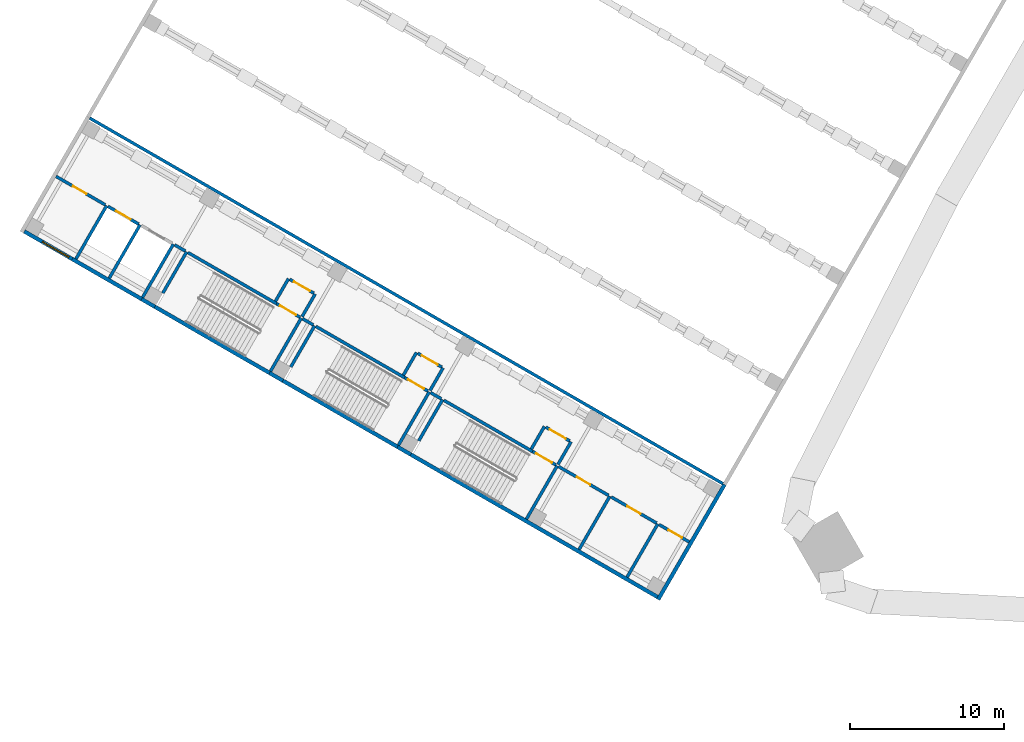
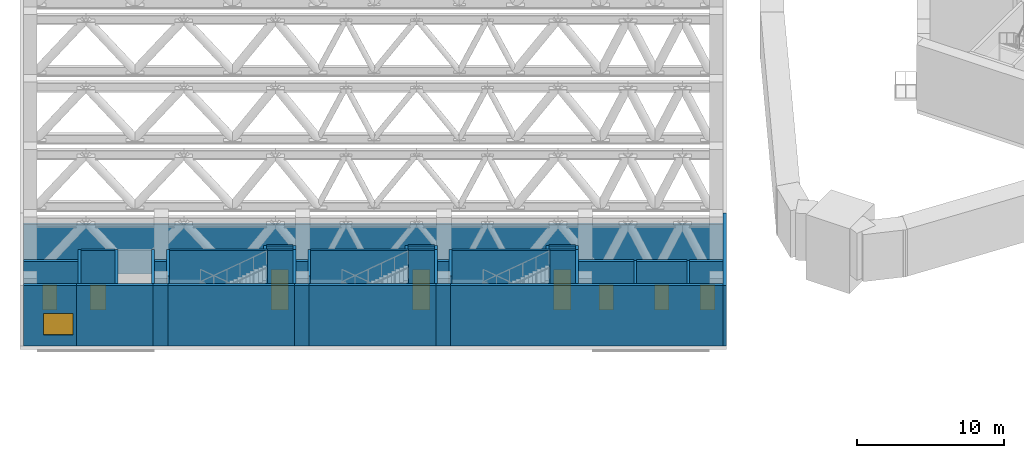
# One storey, part 13 of 37: 44 walls, 11 doors, 1 window, 12 openings.
"""IFC4 building model written with IfcOpenShell, lengths in metres."""

import ifcopenshell
import ifcopenshell.guid

model = None  # the IFC model being written
_history = None  # IfcOwnerHistory: only IFC2X3 demands one
_inside = {}  # id of a spatial element -> (the spatial element, [elements in it])
_under = {}  # id of a project, library or spatial element -> (it, [spatial elements below it])
_declared = {}  # id of a project -> (the project, [libraries it declares])
_typed = {}  # id of a type object -> (the type object, [elements of that type])
_made_of = {}  # id of a material, layer set ... -> (it, [elements and type objects made of it])


def new_model(schema):
    """Start an empty IFC model of exactly this schema.

    Asked for "IFC4X3", IfcOpenShell would pick the latest addendum, in which some entities
    have other attributes; the version numbers below select the first issue.
    IFC2X3 requires an IfcOwnerHistory on every rooted entity: one is made here for all.
    """
    global model, _history
    if schema == "IFC4X3":
        model = ifcopenshell.file(schema_version=(4, 3, 0, 0))
    else:
        model = ifcopenshell.file(schema=schema)
    _inside.clear()
    _under.clear()
    _declared.clear()
    _typed.clear()
    _made_of.clear()
    _history = None
    if model.schema == "IFC2X3":
        org = make("IfcOrganization", Name="unknown")
        user = make(
            "IfcPersonAndOrganization",
            ThePerson=make("IfcPerson", FamilyName="unknown"),
            TheOrganization=org,
        )
        app = make(
            "IfcApplication",
            ApplicationDeveloper=org,
            Version="unknown",
            ApplicationFullName="unknown",
            ApplicationIdentifier="unknown",
        )
        _history = make(
            "IfcOwnerHistory",
            OwningUser=user,
            OwningApplication=app,
            ChangeAction="ADDED",
            CreationDate=0,
        )
    return model


def make(cls, **values):
    """One entity of the class cls with the attributes given. An attribute that is None is left unset."""
    return model.create_entity(
        cls, **{name: value for name, value in values.items() if value is not None}
    )


def rooted(cls, **values):
    """An entity with a GlobalId (a new one), such as an element, a storey or a relation."""
    return make(cls, GlobalId=ifcopenshell.guid.new(), OwnerHistory=_history, **values)


def si_unit(unit_type, name, prefix=None):
    """IfcSIUnit, for example si_unit("LENGTHUNIT", "METRE", prefix="MILLI")."""
    return make("IfcSIUnit", UnitType=unit_type, Prefix=prefix, Name=name)


def assignment(units):
    """IfcUnitAssignment: the units of a project."""
    return None if units is None else make("IfcUnitAssignment", Units=units)


def point(xyz):
    """IfcCartesianPoint."""
    return None if xyz is None else make("IfcCartesianPoint", Coordinates=xyz)


def direction(xyz):
    """IfcDirection."""
    return None if xyz is None else make("IfcDirection", DirectionRatios=xyz)


def frame(location, z_axis=None, x_axis=None):
    """IfcAxis2Placement3D, a coordinate frame: its origin and axes. An axis left out is left unset."""
    return make(
        "IfcAxis2Placement3D",
        Location=point(location),
        Axis=direction(z_axis),
        RefDirection=direction(x_axis),
    )


def frame_2d(location, x_axis=None):
    """IfcAxis2Placement2D, a coordinate frame in the plane: its origin and x axis."""
    return make(
        "IfcAxis2Placement2D", Location=point(location), RefDirection=direction(x_axis)
    )


def origin():
    """The frame at (0, 0, 0) with its axes left unset."""
    return frame((0.0, 0.0, 0.0))


def place(relative_to, where):
    """IfcLocalPlacement: puts the frame where relative to a parent placement (None: the world)."""
    return make(
        "IfcLocalPlacement", PlacementRelTo=relative_to, RelativePlacement=where
    )


def context(
    kind, dimensions, precision=None, world=None, true_north=None, identifier=None
):
    """IfcGeometricRepresentationContext, for example the 3D "Model" context."""
    return make(
        "IfcGeometricRepresentationContext",
        ContextIdentifier=identifier,
        ContextType=kind,
        CoordinateSpaceDimension=dimensions,
        Precision=precision,
        WorldCoordinateSystem=world,
        TrueNorth=true_north,
    )


def subcontext(parent, identifier, kind, view, scale=None):
    """IfcGeometricRepresentationSubContext, for example "Body" below "Model"."""
    return make(
        "IfcGeometricRepresentationSubContext",
        ContextIdentifier=identifier,
        ContextType=kind,
        ParentContext=parent,
        TargetScale=scale,
        TargetView=view,
    )


def project(units=None, contexts=None):
    """IfcProject with its units and contexts."""
    return rooted(
        "IfcProject",
        Name="project",
        RepresentationContexts=contexts,
        UnitsInContext=assignment(units),
    )


def spatial(cls, under=None, at=None, **own):
    """A site, building, storey or space (cls), placed at a placement, below another one or the project."""
    s = rooted(cls, ObjectPlacement=at, **own)
    if under is not None:
        _under.setdefault(under.id(), (under, []))[1].append(s)
    return s


def profile(cls, at=None, kind="AREA", **sizes):
    """A parametric profile (cls). Its sizes go by their IFC names, for example OverallWidth=200.0."""
    return make(cls, ProfileType=kind, Position=at, **sizes)


def rectangle(**sizes):
    """IfcRectangleProfileDef."""
    return profile("IfcRectangleProfileDef", **sizes)


def extrude(swept, where, along, depth):
    """IfcExtrudedAreaSolid: the profile swept, set in the frame where, extruded along a direction by depth."""
    return make(
        "IfcExtrudedAreaSolid",
        SweptArea=swept,
        Position=where,
        ExtrudedDirection=direction(along),
        Depth=depth,
    )


def shape(context_of_items, identifier, shape_type, items):
    """IfcShapeRepresentation: the items that make up one representation, for example the "Body"."""
    return make(
        "IfcShapeRepresentation",
        ContextOfItems=context_of_items,
        RepresentationIdentifier=identifier,
        RepresentationType=shape_type,
        Items=items,
    )


def material(Name=None, Category=None):
    """IfcMaterial."""
    return make("IfcMaterial", Name=Name, Category=Category)


def layer(
    of_material, thickness, ventilated=None, Name=None, Category=None, Priority=None
):
    """IfcMaterialLayer: one layer of a wall or slab, of a material (None: an air gap)."""
    return make(
        "IfcMaterialLayer",
        Material=of_material,
        LayerThickness=thickness,
        IsVentilated=ventilated,
        Name=Name,
        Category=Category,
        Priority=Priority,
    )


def layer_set(layers, Name=None):
    """IfcMaterialLayerSet."""
    return make("IfcMaterialLayerSet", MaterialLayers=layers, LayerSetName=Name)


def made_of(thing, what):
    """Note that an element or type object is made of a material, layer set ...; save() writes the relation."""
    if what is not None:
        _made_of.setdefault(what.id(), (what, []))[1].append(thing)
    return thing


def type_object(cls, material=None, **own):
    """A type object (cls), such as IfcWallType, which elements share."""
    return made_of(rooted(cls, **own), material)


def element(
    cls,
    number,
    at=None,
    inside=None,
    cuts=None,
    type_object=None,
    material=None,
    context=None,
    identifier="Body",
    shape_type=None,
    held_by="IfcProductDefinitionShape",
    body=None,
    shapes=None,
    **own,
):
    """One element of the class cls, such as IfcWall. Its Tag is "e" and its number.

    at: its placement. inside: the storey or other place that contains it. cuts: it is an
    opening in that element (IfcRelVoidsElement). A single representation is given by context,
    identifier, shape_type and body (its items); several are given by shapes. held_by: the class
    of the entity that holds the representations. save() writes the other relations.
    """
    e = rooted(cls, Tag="e%d" % number, ObjectPlacement=at, **own)
    if body is not None:
        shapes = [shape(context, identifier, shape_type, body)]
    if shapes is not None:
        e.Representation = make(held_by, Representations=shapes)
    if inside is not None:
        _inside.setdefault(inside.id(), (inside, []))[1].append(e)
    if cuts is not None:
        rooted(
            "IfcRelVoidsElement", RelatingBuildingElement=cuts, RelatedOpeningElement=e
        )
    if type_object is not None:
        _typed.setdefault(type_object.id(), (type_object, []))[1].append(e)
    return made_of(e, material)


def fill(opening, filler):
    """IfcRelFillsElement: the door or window that sits in an opening."""
    return rooted(
        "IfcRelFillsElement",
        RelatingOpeningElement=opening,
        RelatedBuildingElement=filler,
    )


def aggregate(whole, parts):
    """IfcRelAggregates: a whole, such as a stair, and the parts it consists of."""
    return rooted("IfcRelAggregates", RelatingObject=whole, RelatedObjects=parts)


def save(model, path):
    """Write the relations noted so far, then the file.

    IfcRelAggregates (storeys below a building ...), IfcRelContainedInSpatialStructure (elements
    in a storey), IfcRelDefinesByType, IfcRelAssociatesMaterial and IfcRelDeclares: one each for
    every whole, place, type object, material and project.
    """
    for whole, parts in _under.values():
        aggregate(whole, parts)
    for where, things in _inside.values():
        rooted(
            "IfcRelContainedInSpatialStructure",
            RelatedElements=things,
            RelatingStructure=where,
        )
    for kind, things in _typed.values():
        rooted("IfcRelDefinesByType", RelatedObjects=things, RelatingType=kind)
    for what, things in _made_of.values():
        rooted("IfcRelAssociatesMaterial", RelatedObjects=things, RelatingMaterial=what)
    for by, libraries in _declared.values():
        rooted("IfcRelDeclares", RelatingContext=by, RelatedDefinitions=libraries)
    model.write(path)


model = new_model("IFC4")

# Units and contexts
model_context = context("Model", 3, precision=1e-05, world=origin(), true_north=direction((0.0, 1.0)))
body_context = subcontext(model_context, "Body", "Model", "MODEL_VIEW")
ifc_project = project(units=[si_unit("LENGTHUNIT", "METRE"), si_unit("AREAUNIT", "SQUARE_METRE"), si_unit("VOLUMEUNIT", "CUBIC_METRE"), si_unit("PLANEANGLEUNIT", "RADIAN"), si_unit("MASSUNIT", "GRAM", prefix="KILO")], contexts=[model_context])

# Site, building, storey
site_placement = place(None, origin())
site = spatial("IfcSite", under=ifc_project, at=site_placement, CompositionType="ELEMENT")
building_placement = place(site_placement, origin())
building = spatial("IfcBuilding", under=site, at=building_placement, Name="Mestral Congress Tower", CompositionType="ELEMENT")
storey_placement = place(building_placement, frame((0.0, 0.0, 16.199951171875)))
storey = spatial("IfcBuildingStorey", under=building, at=storey_placement, Name="L03", CompositionType="ELEMENT", Elevation=16.199951171875)

# Walls
ifc_material_1 = material(Name="Precast concrete C40/50 with limestone facing", Category="masonry")
ifc_layer_1 = layer(ifc_material_1, 0.25)
ifc_layer_set_1 = layer_set([ifc_layer_1], Name="Precast concrete C40/50 with limestone facing")
wall_type_1 = type_object("IfcWallType", Name="Podium external wall 250", PredefinedType="SOLIDWALL", material=ifc_layer_set_1)
wall_1_placement = place(storey_placement, frame((-38.25, -14.14501953125, 0.0), z_axis=(0.0, 0.0, 1.0), x_axis=(-0.499999331568, -0.866025789703, 0.0)))
element("IfcWall", 1, at=wall_1_placement, inside=storey, type_object=wall_type_1, Name="L03 external wall", PredefinedType="SOLIDWALL", context=body_context, shape_type="SweptSolid", body=[
    extrude(rectangle(XDim=8.625, YDim=0.25, at=frame_2d((4.3125, 0.0))), origin(), (0.0, 0.0, 1.0), 5.0),
])
wall_2_placement = place(storey_placement, frame((-42.6083984375, -21.44384765625, 0.0), z_axis=(0.0, 0.0, 1.0), x_axis=(-0.866025598446, 0.499999662836, 0.0)))
element("IfcWall", 2, at=wall_2_placement, inside=storey, type_object=wall_type_1, Name="L03 external wall", PredefinedType="SOLIDWALL", context=body_context, shape_type="SweptSolid", body=[
    extrude(rectangle(XDim=18.5, YDim=0.25, at=frame_2d((9.25, 0.0))), origin(), (0.0, 0.0, 1.0), 5.0),
])
wall_3_placement = place(storey_placement, frame((-59.495849609375, -11.69384765625, 0.0), z_axis=(0.0, 0.0, 1.0), x_axis=(-0.866021068297, 0.500007509209, 0.0)))
element("IfcWall", 3, at=wall_3_placement, inside=storey, type_object=wall_type_1, Name="L03 external wall", PredefinedType="SOLIDWALL", context=body_context, shape_type="SweptSolid", body=[
    extrude(rectangle(XDim=8.599853515625, YDim=0.25, at=frame_2d((4.2998046875, 0.0))), origin(), (0.0, 0.0, 1.0), 5.0),
])
wall_4_placement = place(storey_placement, frame((-67.8095703125, -6.893798828125, 0.0), z_axis=(0.0, 0.0, 1.0), x_axis=(-0.866028165386, 0.499995216735, 0.0)))
element("IfcWall", 4, at=wall_4_placement, inside=storey, type_object=wall_type_1, Name="L03 external wall", PredefinedType="SOLIDWALL", context=body_context, shape_type="SweptSolid", body=[
    extrude(rectangle(XDim=8.60009765625, YDim=0.25, at=frame_2d((4.300048828125, 0.0))), origin(), (0.0, 0.0, 1.0), 5.0),
])
wall_5_placement = place(storey_placement, frame((-76.12353515625, -2.09375, 0.0), z_axis=(0.0, 0.0, 1.0), x_axis=(-0.866029992723, 0.499992051641, 0.0)))
element("IfcWall", 5, at=wall_5_placement, inside=storey, type_object=wall_type_1, Name="L03 external wall", PredefinedType="SOLIDWALL", context=body_context, shape_type="SweptSolid", body=[
    extrude(rectangle(XDim=5.19970703125, YDim=0.25, at=frame_2d((2.599853515625, 0.0))), origin(), (0.0, 0.0, 1.0), 5.0),
])

# Wall, opening, window
wall_6_placement = place(storey_placement, frame((-80.626708984375, 0.506103515625, 0.0), z_axis=(0.0, 0.0, 1.0), x_axis=(-0.866018442252, 0.500012057535, 0.0)))
wall_6 = element("IfcWall", 6, at=wall_6_placement, inside=storey, type_object=wall_type_1, Name="L03 external wall", PredefinedType="SOLIDWALL", context=body_context, shape_type="SweptSolid", body=[
    extrude(rectangle(XDim=3.60009765625, YDim=0.25, at=frame_2d((1.800048828125, 0.0))), origin(), (0.0, 0.0, 1.0), 5.0),
])
opening_1_placement = place(wall_6_placement, frame((0.25, 0.0, 0.89990234375)))
opening_1 = element("IfcOpeningElement", 7, at=opening_1_placement, cuts=wall_6, Name="Opening PW-2000x1800", PredefinedType="OPENING", context=body_context, shape_type="SweptSolid", body=[
    extrude(rectangle(XDim=2.0, YDim=1.800048828125, at=frame_2d((1.0, 0.89990234375))), frame((0.0, 0.135009765625, 0.0), z_axis=(0.0, -1.0, 0.0), x_axis=(1.0, 0.0, 0.0)), (0.0, 0.0, 1.0), 0.27001953125),
])
ifc_material_2 = material(Name="Aluminium frame, clear double glazing", Category="aluminium")
window_type = type_object("IfcWindowType", Name="Podium window 2000x1800 sill 900", PartitioningType="SINGLE_PANEL", PredefinedType="WINDOW", material=ifc_material_2)
window_placement = place(opening_1_placement, origin())
window = element("IfcWindow", 8, at=window_placement, inside=storey, type_object=window_type, Name="Window", OverallHeight=1.800048828125, OverallWidth=2.0, PartitioningType="SINGLE_PANEL", PredefinedType="WINDOW", context=body_context, shape_type="SweptSolid", body=[
    extrude(rectangle(XDim=2.0, YDim=1.800048828125, at=frame_2d((1.0, 0.89990234375))), frame((0.0, 0.030029296875, 0.0), z_axis=(0.0, -1.0, 0.0), x_axis=(1.0, 0.0, 0.0)), (0.0, 0.0, 1.0), 0.06005859375),
])
fill(opening_1, window)

# Walls
for number, where, z_axis, x_axis, name in (
    (9, (-58.6298828125, -12.19384765625, 0.0), (0.0, 0.0, 1.0), (-0.866010750942, 0.50002537861, 0.0), "L03 external wall"),
    (10, (-66.943603515625, -7.393798828125, 0.0), (0.0, 0.0, 1.0), (-0.866010750942, 0.50002537861, 0.0), "L03 external wall"),
    (11, (-75.257568359375, -2.59375, 0.0), (0.0, 0.0, 1.0), (-0.866010750942, 0.50002537861, 0.0), "L03 external wall"),
):
    element("IfcWall", number, at=place(storey_placement, frame(where, z_axis=z_axis, x_axis=x_axis)), inside=storey, type_object=wall_type_1, Name=name, PredefinedType="SOLIDWALL", context=body_context, shape_type="SweptSolid", body=[
        extrude(rectangle(XDim=1.0, YDim=0.25, at=frame_2d((0.5, 0.0))), origin(), (0.0, 0.0, 1.0), 5.0),
    ])
ifc_material_3 = material(Name="Masonry block wall", Category="masonry")
ifc_layer_2 = layer(ifc_material_3, 0.199951171875)
ifc_layer_set_2 = layer_set([ifc_layer_2], Name="Masonry block wall")
wall_type_2 = type_object("IfcWallType", Name="Podium stair enclosure wall 200 EI 120 load-bearing", PredefinedType="SOLIDWALL", material=ifc_layer_set_2)
wall_7_placement = place(storey_placement, frame((-49.119384765625, -12.92138671875, 0.0), z_axis=(0.0, 0.0, 1.0), x_axis=(-0.49999894854, -0.866026010844, 0.0)))
element("IfcWall", 12, at=wall_7_placement, inside=storey, type_object=wall_type_2, Name="L03 partition", PredefinedType="SOLIDWALL", context=body_context, shape_type="SweptSolid", body=[
    extrude(rectangle(XDim=4.0, YDim=0.199951171875, at=frame_2d((2.0, 0.0))), origin(), (0.0, 0.0, 1.0), 5.0),
])
wall_8_placement = place(storey_placement, frame((-56.5673828125, -8.621337890625, 0.0), z_axis=(0.0, 0.0, 1.0), x_axis=(-0.499933790963, -0.866063626216, 0.0)))
element("IfcWall", 13, at=wall_8_placement, inside=storey, type_object=wall_type_2, Name="L03 partition", PredefinedType="SOLIDWALL", context=body_context, shape_type="SweptSolid", body=[
    extrude(rectangle(XDim=3.10009765625, YDim=0.199951171875, at=frame_2d((1.550048828125, 0.0))), origin(), (0.0, 0.0, 1.0), 5.0),
])
wall_9_placement = place(storey_placement, frame((-57.433349609375, -8.121337890625, 0.0), z_axis=(0.0, 0.0, 1.0), x_axis=(-0.49999894854, -0.866026010844, 0.0)))
element("IfcWall", 14, at=wall_9_placement, inside=storey, type_object=wall_type_2, Name="L03 partition", PredefinedType="SOLIDWALL", context=body_context, shape_type="SweptSolid", body=[
    extrude(rectangle(XDim=4.0, YDim=0.199951171875, at=frame_2d((2.0, 0.0))), origin(), (0.0, 0.0, 1.0), 5.0),
])
wall_10_placement = place(storey_placement, frame((-64.881103515625, -3.8212890625, 0.0), z_axis=(0.0, 0.0, 1.0), x_axis=(-0.49999285859, -0.86602952684, 0.0)))
element("IfcWall", 15, at=wall_10_placement, inside=storey, type_object=wall_type_2, Name="L03 partition", PredefinedType="SOLIDWALL", context=body_context, shape_type="SweptSolid", body=[
    extrude(rectangle(XDim=3.10009765625, YDim=0.199951171875, at=frame_2d((1.550048828125, 0.0))), origin(), (0.0, 0.0, 1.0), 5.0),
])
wall_11_placement = place(storey_placement, frame((-65.7470703125, -3.3212890625, 0.0), z_axis=(0.0, 0.0, 1.0), x_axis=(-0.49999894854, -0.866026010844, 0.0)))
element("IfcWall", 16, at=wall_11_placement, inside=storey, type_object=wall_type_2, Name="L03 partition", PredefinedType="SOLIDWALL", context=body_context, shape_type="SweptSolid", body=[
    extrude(rectangle(XDim=4.0, YDim=0.199951171875, at=frame_2d((2.0, 0.0))), origin(), (0.0, 0.0, 1.0), 5.0),
])
wall_12_placement = place(storey_placement, frame((-73.195068359375, 0.978515625, 0.0), z_axis=(0.0, 0.0, 1.0), x_axis=(-0.500026960575, -0.86600983753, 0.0)))
element("IfcWall", 17, at=wall_12_placement, inside=storey, type_object=wall_type_2, Name="L03 partition", PredefinedType="SOLIDWALL", context=body_context, shape_type="SweptSolid", body=[
    extrude(rectangle(XDim=3.099853515625, YDim=0.199951171875, at=frame_2d((1.5498046875, 0.0))), origin(), (0.0, 0.0, 1.0), 5.0),
])

# Wall, opening, door
wall_13_placement = place(storey_placement, frame((-49.2060546875, -12.871337890625, 0.0), z_axis=(0.0, 0.0, 1.0), x_axis=(-0.866036909293, 0.499980071345, 0.0)))
wall_13 = element("IfcWall", 18, at=wall_13_placement, inside=storey, type_object=wall_type_2, Name="L03 partition", PredefinedType="SOLIDWALL", context=body_context, shape_type="SweptSolid", body=[
    extrude(rectangle(XDim=1.75, YDim=0.199951171875, at=frame_2d((0.875, 0.0))), origin(), (0.0, 0.0, 1.0), 5.0),
])
opening_2_placement = place(wall_13_placement, frame((0.300048828125, 0.0, 0.0)))
opening_2 = element("IfcOpeningElement", 19, at=opening_2_placement, cuts=wall_13, Name="Opening P03-304", PredefinedType="OPENING", context=body_context, shape_type="SweptSolid", body=[
    extrude(rectangle(XDim=1.199951171875, YDim=2.10009765625, at=frame_2d((0.60009765625, 1.050048828125))), frame((0.0, 0.10986328125, 0.0), z_axis=(0.0, -1.0, 0.0), x_axis=(1.0, 0.0, 0.0)), (0.0, 0.0, 1.0), 0.219970703125),
])
ifc_material_4 = material(Name="Fire-rated steel door set", Category="steel")
door_type_1 = type_object("IfcDoorType", Name="Podium stair door 1200x2100 EI2 30-C5", OperationType="SINGLE_SWING_LEFT", PredefinedType="DOOR", material=ifc_material_4)
door_1_placement = place(opening_2_placement, origin())
door_1 = element("IfcDoor", 20, at=door_1_placement, inside=storey, type_object=door_type_1, Name="Door P03-304", OperationType="SINGLE_SWING_LEFT", OverallHeight=2.10009765625, OverallWidth=1.199951171875, PredefinedType="DOOR", context=body_context, shape_type="SweptSolid", body=[
    extrude(rectangle(XDim=1.199951171875, YDim=2.10009765625, at=frame_2d((0.60009765625, 1.050048828125))), frame((0.0, 0.02490234375, 0.0), z_axis=(0.0, -1.0, 0.0), x_axis=(1.0, 0.0, 0.0)), (0.0, 0.0, 1.0), 0.050048828125),
])
fill(opening_2, door_1)

# Wall
wall_14_placement = place(storey_placement, frame((-50.7216796875, -11.996337890625, 0.0), z_axis=(0.0, 0.0, 1.0), x_axis=(-0.866027239912, 0.49999681972, 0.0)))
element("IfcWall", 21, at=wall_14_placement, inside=storey, type_object=wall_type_2, Name="L03 partition", PredefinedType="SOLIDWALL", context=body_context, shape_type="SweptSolid", body=[
    extrude(rectangle(XDim=6.64990234375, YDim=0.199951171875, at=frame_2d((3.324951171875, 0.0))), origin(), (0.0, 0.0, 1.0), 5.0),
])

# Wall, opening, door
wall_15_placement = place(storey_placement, frame((-57.52001953125, -8.0712890625, 0.0), z_axis=(0.0, 0.0, 1.0), x_axis=(-0.866002029911, 0.500040482552, 0.0)))
wall_15 = element("IfcWall", 22, at=wall_15_placement, inside=storey, type_object=wall_type_2, Name="L03 partition", PredefinedType="SOLIDWALL", context=body_context, shape_type="SweptSolid", body=[
    extrude(rectangle(XDim=1.749755859375, YDim=0.199951171875, at=frame_2d((0.875, 0.0))), origin(), (0.0, 0.0, 1.0), 5.0),
])
opening_3_placement = place(wall_15_placement, frame((0.300048828125, 0.0, 0.0)))
opening_3 = element("IfcOpeningElement", 23, at=opening_3_placement, cuts=wall_15, Name="Opening P03-305", PredefinedType="OPENING", context=body_context, shape_type="SweptSolid", body=[
    extrude(rectangle(XDim=1.199951171875, YDim=2.10009765625, at=frame_2d((0.60009765625, 1.050048828125))), frame((0.0, 0.10986328125, 0.0), z_axis=(0.0, -1.0, 0.0), x_axis=(1.0, 0.0, 0.0)), (0.0, 0.0, 1.0), 0.219970703125),
])
door_2_placement = place(opening_3_placement, origin())
door_2 = element("IfcDoor", 24, at=door_2_placement, inside=storey, type_object=door_type_1, Name="Door P03-305", OperationType="SINGLE_SWING_LEFT", OverallHeight=2.10009765625, OverallWidth=1.199951171875, PredefinedType="DOOR", context=body_context, shape_type="SweptSolid", body=[
    extrude(rectangle(XDim=1.199951171875, YDim=2.10009765625, at=frame_2d((0.60009765625, 1.050048828125))), frame((0.0, 0.02490234375, 0.0), z_axis=(0.0, -1.0, 0.0), x_axis=(1.0, 0.0, 0.0)), (0.0, 0.0, 1.0), 0.050048828125),
])
fill(opening_3, door_2)

# Wall
wall_16_placement = place(storey_placement, frame((-59.035400390625, -7.1962890625, 0.0), z_axis=(0.0, 0.0, 1.0), x_axis=(-0.866027239912, 0.49999681972, 0.0)))
element("IfcWall", 25, at=wall_16_placement, inside=storey, type_object=wall_type_2, Name="L03 partition", PredefinedType="SOLIDWALL", context=body_context, shape_type="SweptSolid", body=[
    extrude(rectangle(XDim=6.64990234375, YDim=0.199951171875, at=frame_2d((3.324951171875, 0.0))), origin(), (0.0, 0.0, 1.0), 5.0),
])

# Wall, opening, door
wall_17_placement = place(storey_placement, frame((-65.833740234375, -3.271484375, 0.0), z_axis=(0.0, 0.0, 1.0), x_axis=(-0.866036909293, 0.499980071345, 0.0)))
wall_17 = element("IfcWall", 26, at=wall_17_placement, inside=storey, type_object=wall_type_2, Name="L03 partition", PredefinedType="SOLIDWALL", context=body_context, shape_type="SweptSolid", body=[
    extrude(rectangle(XDim=1.75, YDim=0.199951171875, at=frame_2d((0.875, 0.0))), origin(), (0.0, 0.0, 1.0), 5.0),
])
opening_4_placement = place(wall_17_placement, frame((0.300048828125, 0.0, 0.0)))
opening_4 = element("IfcOpeningElement", 27, at=opening_4_placement, cuts=wall_17, Name="Opening P03-306", PredefinedType="OPENING", context=body_context, shape_type="SweptSolid", body=[
    extrude(rectangle(XDim=1.199951171875, YDim=2.10009765625, at=frame_2d((0.60009765625, 1.050048828125))), frame((0.0, 0.10986328125, 0.0), z_axis=(0.0, -1.0, 0.0), x_axis=(1.0, 0.0, 0.0)), (0.0, 0.0, 1.0), 0.219970703125),
])
door_3_placement = place(opening_4_placement, origin())
door_3 = element("IfcDoor", 28, at=door_3_placement, inside=storey, type_object=door_type_1, Name="Door P03-306", OperationType="SINGLE_SWING_LEFT", OverallHeight=2.10009765625, OverallWidth=1.199951171875, PredefinedType="DOOR", context=body_context, shape_type="SweptSolid", body=[
    extrude(rectangle(XDim=1.199951171875, YDim=2.10009765625, at=frame_2d((0.60009765625, 1.050048828125))), frame((0.0, 0.02490234375, 0.0), z_axis=(0.0, -1.0, 0.0), x_axis=(1.0, 0.0, 0.0)), (0.0, 0.0, 1.0), 0.050048828125),
])
fill(opening_4, door_3)

# Walls
wall_18_placement = place(storey_placement, frame((-67.349365234375, -2.396484375, 0.0), z_axis=(0.0, 0.0, 1.0), x_axis=(-0.86601134256, 0.500024353964, 0.0)))
element("IfcWall", 29, at=wall_18_placement, inside=storey, type_object=wall_type_2, Name="L03 partition", PredefinedType="SOLIDWALL", context=body_context, shape_type="SweptSolid", body=[
    extrude(rectangle(XDim=6.650146484375, YDim=0.199951171875, at=frame_2d((3.3251953125, 0.0))), origin(), (0.0, 0.0, 1.0), 5.0),
])
for number, where, z_axis, x_axis, name in (
    (30, (-74.06103515625, 1.478515625, 0.0), (0.0, 0.0, 1.0), (-0.49999894854, -0.866026010844, 0.0), "L03 partition"),
    (31, (-76.22607421875, 2.728515625, 0.0), (0.0, 0.0, 1.0), (-0.49999894854, -0.866026010844, 0.0), "L03 partition"),
    (32, (-78.39111328125, 3.978515625, 0.0), (0.0, 0.0, 1.0), (-0.49999894854, -0.866026010844, 0.0), "L03 partition"),
):
    element("IfcWall", number, at=place(storey_placement, frame(where, z_axis=z_axis, x_axis=x_axis)), inside=storey, type_object=wall_type_2, Name=name, PredefinedType="SOLIDWALL", context=body_context, shape_type="SweptSolid", body=[
        extrude(rectangle(XDim=4.0, YDim=0.199951171875, at=frame_2d((2.0, 0.0))), origin(), (0.0, 0.0, 1.0), 5.0),
    ])

# Wall, opening, door
wall_19_placement = place(storey_placement, frame((-76.312744140625, 2.778564453125, 0.0), z_axis=(0.0, 0.0, 1.0), x_axis=(-0.865980515519, 0.500077740698, 0.0)))
wall_19 = element("IfcWall", 33, at=wall_19_placement, inside=storey, type_object=wall_type_2, Name="L03 partition", PredefinedType="SOLIDWALL", context=body_context, shape_type="SweptSolid", body=[
    extrude(rectangle(XDim=2.300048828125, YDim=0.199951171875, at=frame_2d((1.14990234375, 0.0))), origin(), (0.0, 0.0, 1.0), 5.0),
])
opening_5_placement = place(wall_19_placement, frame((0.60009765625, 0.0, 0.0)))
opening_5 = element("IfcOpeningElement", 34, at=opening_5_placement, cuts=wall_19, Name="Opening P03-310", PredefinedType="OPENING", context=body_context, shape_type="SweptSolid", body=[
    extrude(rectangle(XDim=1.10009765625, YDim=2.10009765625, at=frame_2d((0.550048828125, 1.050048828125))), frame((0.0, 0.10986328125, 0.0), z_axis=(0.0, -1.0, 0.0), x_axis=(1.0, 0.0, 0.0)), (0.0, 0.0, 1.0), 0.219970703125),
])
door_type_2 = type_object("IfcDoorType", Name="Podium lift landing door 1100x2100 EI2 60-C5", OperationType="DOUBLE_DOOR_SLIDING", PredefinedType="DOOR", material=ifc_material_4)
door_4_placement = place(opening_5_placement, origin())
door_4 = element("IfcDoor", 35, at=door_4_placement, inside=storey, type_object=door_type_2, Name="Door P03-310", OperationType="DOUBLE_DOOR_SLIDING", OverallHeight=2.10009765625, OverallWidth=1.10009765625, PredefinedType="DOOR", context=body_context, shape_type="SweptSolid", body=[
    extrude(rectangle(XDim=1.10009765625, YDim=2.10009765625, at=frame_2d((0.550048828125, 1.050048828125))), frame((0.0, 0.02490234375, 0.0), z_axis=(0.0, -1.0, 0.0), x_axis=(1.0, 0.0, 0.0)), (0.0, 0.0, 1.0), 0.050048828125),
])
fill(opening_5, door_4)

# Walls
ifc_material_5 = material(Name="Fire-rated board partition")
ifc_layer_3 = layer(ifc_material_5, 0.199951171875)
ifc_layer_set_3 = layer_set([ifc_layer_3], Name="Fire-rated board partition")
wall_type_3 = type_object("IfcWallType", Name="Podium vestibule wall 200 EI 120", PredefinedType="PARTITIONING", material=ifc_layer_set_3)
for number, where, z_axis, x_axis, name in (
    (36, (-48.219482421875, -11.362548828125, 0.0), (0.0, 0.0, 1.0), (-0.500062241894, -0.865989465428, 0.0), "L03 partition"),
    (37, (-49.951416015625, -10.362548828125, 0.0), (0.0, 0.0, 1.0), (-0.500062241894, -0.865989465428, 0.0), "L03 partition"),
):
    element("IfcWall", number, at=place(storey_placement, frame(where, z_axis=z_axis, x_axis=x_axis)), inside=storey, type_object=wall_type_3, Name=name, PredefinedType="PARTITIONING", context=body_context, shape_type="SweptSolid", body=[
        extrude(rectangle(XDim=1.699951171875, YDim=0.199951171875, at=frame_2d((0.85009765625, 0.0))), origin(), (0.0, 0.0, 1.0), 4.10009765625),
    ])
for number, where, z_axis, x_axis, name in (
    (38, (-56.533203125, -6.5625, 0.0), (0.0, 0.0, 1.0), (-0.500000056704, -0.866025371046, 0.0), "L03 partition"),
    (39, (-58.265380859375, -5.5625, 0.0), (0.0, 0.0, 1.0), (-0.500000056704, -0.866025371046, 0.0), "L03 partition"),
):
    element("IfcWall", number, at=place(storey_placement, frame(where, z_axis=z_axis, x_axis=x_axis)), inside=storey, type_object=wall_type_3, Name=name, PredefinedType="PARTITIONING", context=body_context, shape_type="SweptSolid", body=[
        extrude(rectangle(XDim=1.7001953125, YDim=0.199951171875, at=frame_2d((0.85009765625, 0.0))), origin(), (0.0, 0.0, 1.0), 4.10009765625),
    ])
for number, where, z_axis, x_axis, name in (
    (40, (-64.84716796875, -1.7626953125, 0.0), (0.0, 0.0, 1.0), (-0.499954529098, -0.86605165483, 0.0), "L03 partition"),
    (41, (-66.5791015625, -0.7626953125, 0.0), (0.0, 0.0, 1.0), (-0.500062241894, -0.865989465428, 0.0), "L03 partition"),
):
    element("IfcWall", number, at=place(storey_placement, frame(where, z_axis=z_axis, x_axis=x_axis)), inside=storey, type_object=wall_type_3, Name=name, PredefinedType="PARTITIONING", context=body_context, shape_type="SweptSolid", body=[
        extrude(rectangle(XDim=1.699951171875, YDim=0.199951171875, at=frame_2d((0.85009765625, 0.0))), origin(), (0.0, 0.0, 1.0), 4.10009765625),
    ])

# Wall, opening, door
wall_20_placement = place(storey_placement, frame((-48.30615234375, -11.3125, 0.0), z_axis=(0.0, 0.0, 1.0), x_axis=(-0.866047807691, 0.499961193289, 0.0)))
wall_20 = element("IfcWall", 42, at=wall_20_placement, inside=storey, type_object=wall_type_3, Name="L03 partition", PredefinedType="PARTITIONING", context=body_context, shape_type="SweptSolid", body=[
    extrude(rectangle(XDim=1.800048828125, YDim=0.199951171875, at=frame_2d((0.89990234375, 0.0))), origin(), (0.0, 0.0, 1.0), 4.10009765625),
])
opening_6_placement = place(wall_20_placement, frame((0.300048828125, 0.0, 0.0)))
opening_6 = element("IfcOpeningElement", 43, at=opening_6_placement, cuts=wall_20, Name="Opening P03-314", PredefinedType="OPENING", context=body_context, shape_type="SweptSolid", body=[
    extrude(rectangle(XDim=1.199951171875, YDim=2.10009765625, at=frame_2d((0.60009765625, 1.050048828125))), frame((0.0, 0.10986328125, 0.0), z_axis=(0.0, -1.0, 0.0), x_axis=(1.0, 0.0, 0.0)), (0.0, 0.0, 1.0), 0.219970703125),
])
door_type_3 = type_object("IfcDoorType", Name="Podium vestibule door 1200x2100 EI2 30-C5", OperationType="SINGLE_SWING_LEFT", PredefinedType="DOOR", material=ifc_material_4)
door_5_placement = place(opening_6_placement, origin())
door_5 = element("IfcDoor", 44, at=door_5_placement, inside=storey, type_object=door_type_3, Name="Door P03-314", OperationType="SINGLE_SWING_LEFT", OverallHeight=2.10009765625, OverallWidth=1.199951171875, PredefinedType="DOOR", context=body_context, shape_type="SweptSolid", body=[
    extrude(rectangle(XDim=1.199951171875, YDim=2.10009765625, at=frame_2d((0.60009765625, 1.050048828125))), frame((0.0, 0.02490234375, 0.0), z_axis=(0.0, -1.0, 0.0), x_axis=(1.0, 0.0, 0.0)), (0.0, 0.0, 1.0), 0.050048828125),
])
fill(opening_6, door_5)

wall_21_placement = place(storey_placement, frame((-56.619873046875, -6.5126953125, 0.0), z_axis=(0.0, 0.0, 1.0), x_axis=(-0.865989075817, 0.500062916607, 0.0)))
wall_21 = element("IfcWall", 45, at=wall_21_placement, inside=storey, type_object=wall_type_3, Name="L03 partition", PredefinedType="PARTITIONING", context=body_context, shape_type="SweptSolid", body=[
    extrude(rectangle(XDim=1.800048828125, YDim=0.199951171875, at=frame_2d((0.89990234375, 0.0))), origin(), (0.0, 0.0, 1.0), 4.10009765625),
])
opening_7_placement = place(wall_21_placement, frame((0.300048828125, 0.0, 0.0)))
opening_7 = element("IfcOpeningElement", 46, at=opening_7_placement, cuts=wall_21, Name="Opening P03-315", PredefinedType="OPENING", context=body_context, shape_type="SweptSolid", body=[
    extrude(rectangle(XDim=1.199951171875, YDim=2.10009765625, at=frame_2d((0.60009765625, 1.050048828125))), frame((0.0, 0.10986328125, 0.0), z_axis=(0.0, -1.0, 0.0), x_axis=(1.0, 0.0, 0.0)), (0.0, 0.0, 1.0), 0.219970703125),
])
door_6_placement = place(opening_7_placement, origin())
door_6 = element("IfcDoor", 47, at=door_6_placement, inside=storey, type_object=door_type_3, Name="Door P03-315", OperationType="SINGLE_SWING_LEFT", OverallHeight=2.10009765625, OverallWidth=1.199951171875, PredefinedType="DOOR", context=body_context, shape_type="SweptSolid", body=[
    extrude(rectangle(XDim=1.199951171875, YDim=2.10009765625, at=frame_2d((0.60009765625, 1.050048828125))), frame((0.0, 0.02490234375, 0.0), z_axis=(0.0, -1.0, 0.0), x_axis=(1.0, 0.0, 0.0)), (0.0, 0.0, 1.0), 0.050048828125),
])
fill(opening_7, door_6)

wall_22_placement = place(storey_placement, frame((-64.93359375, -1.712646484375, 0.0), z_axis=(0.0, 0.0, 1.0), x_axis=(-0.866022985545, 0.500004188491, 0.0)))
wall_22 = element("IfcWall", 48, at=wall_22_placement, inside=storey, type_object=wall_type_3, Name="L03 partition", PredefinedType="PARTITIONING", context=body_context, shape_type="SweptSolid", body=[
    extrude(rectangle(XDim=1.80029296875, YDim=0.199951171875, at=frame_2d((0.900146484375, 0.0))), origin(), (0.0, 0.0, 1.0), 4.10009765625),
])
opening_8_placement = place(wall_22_placement, frame((0.300048828125, 0.0, 0.0)))
opening_8 = element("IfcOpeningElement", 49, at=opening_8_placement, cuts=wall_22, Name="Opening P03-316", PredefinedType="OPENING", context=body_context, shape_type="SweptSolid", body=[
    extrude(rectangle(XDim=1.199951171875, YDim=2.10009765625, at=frame_2d((0.60009765625, 1.050048828125))), frame((0.0, 0.10986328125, 0.0), z_axis=(0.0, -1.0, 0.0), x_axis=(1.0, 0.0, 0.0)), (0.0, 0.0, 1.0), 0.219970703125),
])
door_7_placement = place(opening_8_placement, origin())
door_7 = element("IfcDoor", 50, at=door_7_placement, inside=storey, type_object=door_type_3, Name="Door P03-316", OperationType="SINGLE_SWING_LEFT", OverallHeight=2.10009765625, OverallWidth=1.199951171875, PredefinedType="DOOR", context=body_context, shape_type="SweptSolid", body=[
    extrude(rectangle(XDim=1.199951171875, YDim=2.10009765625, at=frame_2d((0.60009765625, 1.050048828125))), frame((0.0, 0.02490234375, 0.0), z_axis=(0.0, -1.0, 0.0), x_axis=(1.0, 0.0, 0.0)), (0.0, 0.0, 1.0), 0.050048828125),
])
fill(opening_8, door_7)

# Walls
for number, where, z_axis, x_axis, name in (
    (51, (-42.5810546875, -16.6962890625, 0.0), (0.0, 0.0, 1.0), (-0.49999894854, -0.866026010844, 0.0), "L03 partition"),
    (52, (-45.69873046875, -14.896484375, 0.0), (0.0, 0.0, 1.0), (-0.49999894854, -0.866026010844, 0.0), "L03 partition"),
):
    element("IfcWall", number, at=place(storey_placement, frame(where, z_axis=z_axis, x_axis=x_axis)), inside=storey, type_object=wall_type_3, Name=name, PredefinedType="PARTITIONING", context=body_context, shape_type="SweptSolid", body=[
        extrude(rectangle(XDim=4.0, YDim=0.199951171875, at=frame_2d((2.0, 0.0))), origin(), (0.0, 0.0, 1.0), 4.10009765625),
    ])

# Wall, opening, door
wall_23_placement = place(storey_placement, frame((-40.5458984375, -17.871337890625, 0.0), z_axis=(0.0, 0.0, 1.0), x_axis=(-0.866017533419, 0.500013631625, 0.0)))
wall_23 = element("IfcWall", 53, at=wall_23_placement, inside=storey, type_object=wall_type_3, Name="L03 partition", PredefinedType="PARTITIONING", context=body_context, shape_type="SweptSolid", body=[
    extrude(rectangle(XDim=2.25, YDim=0.199951171875, at=frame_2d((1.125, 0.0))), origin(), (0.0, 0.0, 1.0), 4.10009765625),
])
opening_9_placement = place(wall_23_placement, frame((0.550048828125, 0.0, 0.0)))
opening_9 = element("IfcOpeningElement", 54, at=opening_9_placement, cuts=wall_23, Name="Opening P03-318", PredefinedType="OPENING", context=body_context, shape_type="SweptSolid", body=[
    extrude(rectangle(XDim=1.0, YDim=2.10009765625, at=frame_2d((0.5, 1.050048828125))), frame((0.0, 0.10986328125, 0.0), z_axis=(0.0, -1.0, 0.0), x_axis=(1.0, 0.0, 0.0)), (0.0, 0.0, 1.0), 0.219970703125),
])
door_type_4 = type_object("IfcDoorType", Name="Podium room door 1000x2100 EI2 30-C5", OperationType="SINGLE_SWING_LEFT", PredefinedType="DOOR", material=ifc_material_4)
door_8_placement = place(opening_9_placement, origin())
door_8 = element("IfcDoor", 55, at=door_8_placement, inside=storey, type_object=door_type_4, Name="Door P03-318", OperationType="SINGLE_SWING_LEFT", OverallHeight=2.10009765625, OverallWidth=1.0, PredefinedType="DOOR", context=body_context, shape_type="SweptSolid", body=[
    extrude(rectangle(XDim=1.0, YDim=2.10009765625, at=frame_2d((0.5, 1.050048828125))), frame((0.0, 0.02490234375, 0.0), z_axis=(0.0, -1.0, 0.0), x_axis=(1.0, 0.0, 0.0)), (0.0, 0.0, 1.0), 0.050048828125),
])
fill(opening_9, door_8)

wall_24_placement = place(storey_placement, frame((-42.66748046875, -16.646484375, 0.0), z_axis=(0.0, 0.0, 1.0), x_axis=(-0.866007419912, 0.500031147688, 0.0)))
wall_24 = element("IfcWall", 56, at=wall_24_placement, inside=storey, type_object=wall_type_3, Name="L03 partition", PredefinedType="PARTITIONING", context=body_context, shape_type="SweptSolid", body=[
    extrude(rectangle(XDim=3.400146484375, YDim=0.199951171875, at=frame_2d((1.7001953125, 0.0))), origin(), (0.0, 0.0, 1.0), 4.10009765625),
])
opening_10_placement = place(wall_24_placement, frame((1.199951171875, 0.0, 0.0)))
opening_10 = element("IfcOpeningElement", 57, at=opening_10_placement, cuts=wall_24, Name="Opening P03-319", PredefinedType="OPENING", context=body_context, shape_type="SweptSolid", body=[
    extrude(rectangle(XDim=1.0, YDim=2.10009765625, at=frame_2d((0.5, 1.050048828125))), frame((0.0, 0.10986328125, 0.0), z_axis=(0.0, -1.0, 0.0), x_axis=(1.0, 0.0, 0.0)), (0.0, 0.0, 1.0), 0.219970703125),
])
door_9_placement = place(opening_10_placement, origin())
door_9 = element("IfcDoor", 58, at=door_9_placement, inside=storey, type_object=door_type_4, Name="Door P03-319", OperationType="SINGLE_SWING_LEFT", OverallHeight=2.10009765625, OverallWidth=1.0, PredefinedType="DOOR", context=body_context, shape_type="SweptSolid", body=[
    extrude(rectangle(XDim=1.0, YDim=2.10009765625, at=frame_2d((0.5, 1.050048828125))), frame((0.0, 0.02490234375, 0.0), z_axis=(0.0, -1.0, 0.0), x_axis=(1.0, 0.0, 0.0)), (0.0, 0.0, 1.0), 0.050048828125),
])
fill(opening_10, door_9)

wall_25_placement = place(storey_placement, frame((-45.785400390625, -14.846435546875, 0.0), z_axis=(0.0, 0.0, 1.0), x_axis=(-0.866022959057, 0.500004234368, 0.0)))
wall_25 = element("IfcWall", 59, at=wall_25_placement, inside=storey, type_object=wall_type_3, Name="L03 partition", PredefinedType="PARTITIONING", context=body_context, shape_type="SweptSolid", body=[
    extrude(rectangle(XDim=3.75, YDim=0.199951171875, at=frame_2d((1.875, 0.0))), origin(), (0.0, 0.0, 1.0), 4.10009765625),
])
opening_11_placement = place(wall_25_placement, frame((1.375, 0.0, 0.0)))
opening_11 = element("IfcOpeningElement", 60, at=opening_11_placement, cuts=wall_25, Name="Opening P03-320", PredefinedType="OPENING", context=body_context, shape_type="SweptSolid", body=[
    extrude(rectangle(XDim=1.0, YDim=2.10009765625, at=frame_2d((0.5, 1.050048828125))), frame((0.0, 0.10986328125, 0.0), z_axis=(0.0, -1.0, 0.0), x_axis=(1.0, 0.0, 0.0)), (0.0, 0.0, 1.0), 0.219970703125),
])
door_10_placement = place(opening_11_placement, origin())
door_10 = element("IfcDoor", 61, at=door_10_placement, inside=storey, type_object=door_type_4, Name="Door P03-320", OperationType="SINGLE_SWING_LEFT", OverallHeight=2.10009765625, OverallWidth=1.0, PredefinedType="DOOR", context=body_context, shape_type="SweptSolid", body=[
    extrude(rectangle(XDim=1.0, YDim=2.10009765625, at=frame_2d((0.5, 1.050048828125))), frame((0.0, 0.02490234375, 0.0), z_axis=(0.0, -1.0, 0.0), x_axis=(1.0, 0.0, 0.0)), (0.0, 0.0, 1.0), 0.050048828125),
])
fill(opening_11, door_10)

wall_26_placement = place(storey_placement, frame((-78.477783203125, 4.028564453125, 0.0), z_axis=(0.0, 0.0, 1.0), x_axis=(-0.866000971088, 0.500042316284, 0.0)))
wall_26 = element("IfcWall", 62, at=wall_26_placement, inside=storey, type_object=wall_type_3, Name="L03 partition", PredefinedType="PARTITIONING", context=body_context, shape_type="SweptSolid", body=[
    extrude(rectangle(XDim=3.699951171875, YDim=0.199951171875, at=frame_2d((1.85009765625, 0.0))), origin(), (0.0, 0.0, 1.0), 4.10009765625),
])
opening_12_placement = place(wall_26_placement, frame((1.425048828125, 0.0, 0.0)))
opening_12 = element("IfcOpeningElement", 63, at=opening_12_placement, cuts=wall_26, Name="Opening P03-323", PredefinedType="OPENING", context=body_context, shape_type="SweptSolid", body=[
    extrude(rectangle(XDim=1.0, YDim=2.10009765625, at=frame_2d((0.5, 1.050048828125))), frame((0.0, 0.10986328125, 0.0), z_axis=(0.0, -1.0, 0.0), x_axis=(1.0, 0.0, 0.0)), (0.0, 0.0, 1.0), 0.219970703125),
])
door_11_placement = place(opening_12_placement, origin())
door_11 = element("IfcDoor", 64, at=door_11_placement, inside=storey, type_object=door_type_4, Name="Door P03-323", OperationType="SINGLE_SWING_LEFT", OverallHeight=2.10009765625, OverallWidth=1.0, PredefinedType="DOOR", context=body_context, shape_type="SweptSolid", body=[
    extrude(rectangle(XDim=1.0, YDim=2.10009765625, at=frame_2d((0.5, 1.050048828125))), frame((0.0, 0.02490234375, 0.0), z_axis=(0.0, -1.0, 0.0), x_axis=(1.0, 0.0, 0.0)), (0.0, 0.0, 1.0), 0.050048828125),
])
fill(opening_12, door_11)

# Walls
wall_27_placement = place(storey_placement, frame((-38.3583984375, -14.08251953125, 0.0), z_axis=(0.0, 0.0, 1.0), x_axis=(-0.866024244032, 0.500002008745, 0.0)))
element("IfcWall", 65, at=wall_27_placement, inside=storey, type_object=wall_type_3, Name="L03 partition", PredefinedType="PARTITIONING", context=body_context, shape_type="SweptSolid", body=[
    extrude(rectangle(XDim=47.499755859375, YDim=0.199951171875, at=frame_2d((23.75, 0.0))), origin(), (0.0, 0.0, 1.0), 4.10009765625),
])
wall_28_placement = place(storey_placement, frame((-56.65380859375, -8.5712890625, 0.0), z_axis=(0.0, 0.0, 1.0), x_axis=(-0.866094119867, 0.499880961361, 0.0)))
element("IfcWall", 66, at=wall_28_placement, inside=storey, type_object=wall_type_3, Name="L03 partition", PredefinedType="PARTITIONING", context=body_context, shape_type="SweptSolid", body=[
    extrude(rectangle(XDim=0.800048828125, YDim=0.199951171875, at=frame_2d((0.39990234375, 0.0))), origin(), (0.0, 0.0, 1.0), 4.10009765625),
])
wall_29_placement = place(storey_placement, frame((-64.9677734375, -3.771484375, 0.0), z_axis=(0.0, 0.0, 1.0), x_axis=(-0.865885638426, 0.500242002602, 0.0)))
element("IfcWall", 67, at=wall_29_placement, inside=storey, type_object=wall_type_3, Name="L03 partition", PredefinedType="PARTITIONING", context=body_context, shape_type="SweptSolid", body=[
    extrude(rectangle(XDim=0.7998046875, YDim=0.199951171875, at=frame_2d((0.39990234375, 0.0))), origin(), (0.0, 0.0, 1.0), 4.10009765625),
])
wall_30_placement = place(storey_placement, frame((-73.281494140625, 1.028564453125, 0.0), z_axis=(0.0, 0.0, 1.0), x_axis=(-0.865961984968, 0.500109828528, 0.0)))
element("IfcWall", 68, at=wall_30_placement, inside=storey, type_object=wall_type_3, Name="L03 partition", PredefinedType="PARTITIONING", context=body_context, shape_type="SweptSolid", body=[
    extrude(rectangle(XDim=0.800048828125, YDim=0.199951171875, at=frame_2d((0.39990234375, 0.0))), origin(), (0.0, 0.0, 1.0), 4.10009765625),
])

save(model, "model.ifc")
